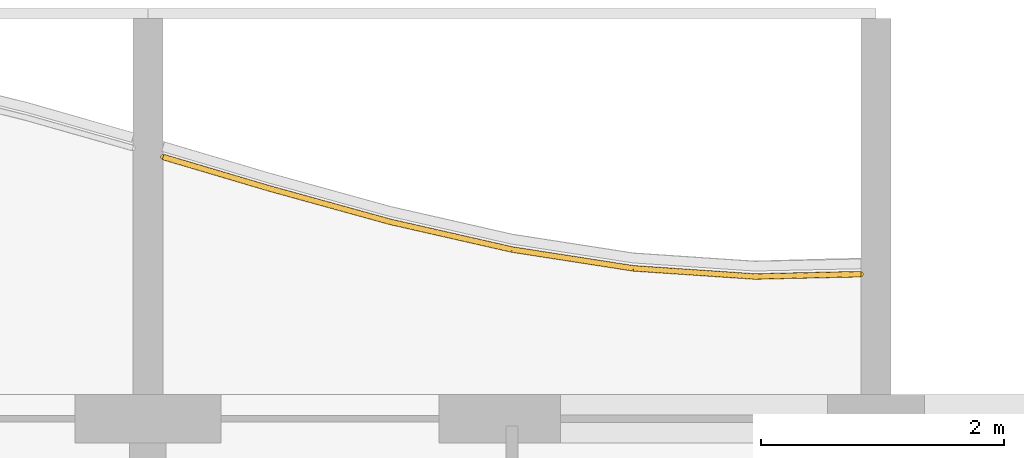
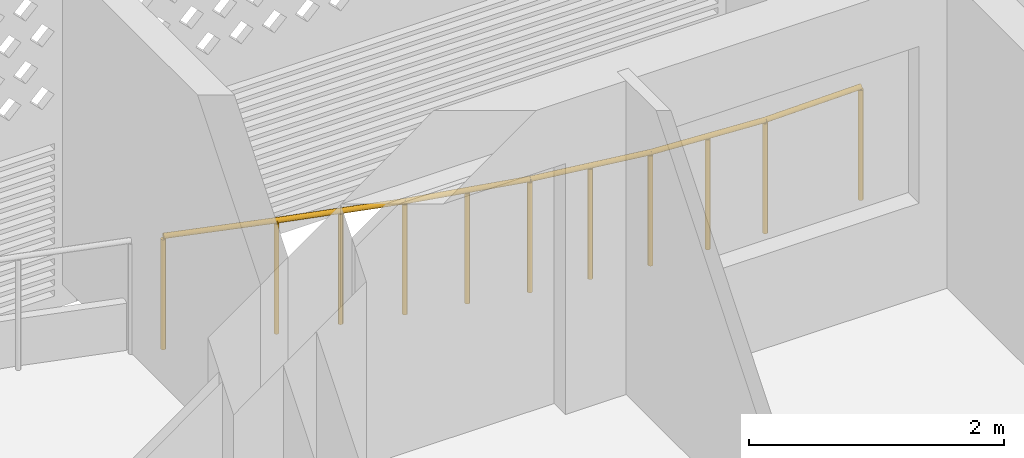
# One storey, part 21 of 32: 1 railing.
"""IFC4 building model written with IfcOpenShell, lengths in metres."""

from ifc_helpers import new_model, si_unit, direction, frame, origin, origin_2d, place, context, subcontext, project, spatial, circle, extrude, material, type_object, element, save


model = new_model("IFC4")

# Units and contexts
model_context = context("Model", 3, precision=1e-05, world=origin(), true_north=direction((0.0, 1.0)))
body_context = subcontext(model_context, "Body", "Model", "MODEL_VIEW")
ifc_project = project(units=[si_unit("LENGTHUNIT", "METRE"), si_unit("AREAUNIT", "SQUARE_METRE"), si_unit("VOLUMEUNIT", "CUBIC_METRE"), si_unit("PLANEANGLEUNIT", "RADIAN"), si_unit("MASSUNIT", "GRAM", prefix="KILO")], contexts=[model_context])

# Site, building, storey
site_placement = place(None, origin())
site = spatial("IfcSite", under=ifc_project, at=site_placement, CompositionType="ELEMENT")
building_placement = place(site_placement, origin())
building = spatial("IfcBuilding", under=site, at=building_placement, Name="Poui Terraces", CompositionType="ELEMENT")
storey_placement = place(building_placement, frame((0.0, 0.0, 155.39990234375)))
storey = spatial("IfcBuildingStorey", under=building, at=storey_placement, Name="L43", CompositionType="ELEMENT", Elevation=155.39990234375)

# Railing
ifc_material = material(Name="Painted steel fretwork", Category="steel")
railing_type = type_object("IfcRailingType", Name="BALCONY GUARD 1100", PredefinedType="GUARDRAIL", material=ifc_material)
railing_placement = place(storey_placement, frame((30.125, 44.556884765625, 0.0)))
element("IfcRailing", 1, at=railing_placement, inside=storey, type_object=railing_type, Name="BALCONY GUARD", PredefinedType="GUARDRAIL", context=body_context, shape_type="SweptSolid", body=[
    extrude(circle(Radius=0.02392578125, at=origin_2d()), frame((0.0, 0.0, 1.076171875), z_axis=(0.958865561228, -0.283860591647, 0.0), x_axis=(0.283860591647, 0.958865561228, 0.0)), (0.0, 0.0, 1.0), 0.91259765625),
    extrude(circle(Radius=0.02392578125, at=origin_2d()), frame((0.875, -0.259033203125, 1.076171875), z_axis=(0.963928100541, -0.26616276409, 0.0), x_axis=(0.26616276409, 0.963928100541, 0.0)), (0.0, 0.0, 1.0), 1.037353515625),
    extrude(circle(Radius=0.02392578125, at=origin_2d()), frame((1.875, -0.53515625, 1.076171875), z_axis=(0.975128178395, -0.221641683127, 0.0), x_axis=(0.221641683127, 0.975128178395, 0.0)), (0.0, 0.0, 1.0), 1.025390625),
    extrude(circle(Radius=0.02392578125, at=origin_2d()), frame((2.875, -0.762451171875, 1.076171875), z_axis=(0.9881587723, -0.153434809371, 0.0), x_axis=(0.153434809371, 0.9881587723, 0.0)), (0.0, 0.0, 1.0), 1.011962890625),
    extrude(circle(Radius=0.02392578125, at=origin_2d()), frame((3.875, -0.917724609375, 1.076171875), z_axis=(0.997753790287, -0.066987864338, 0.0), x_axis=(0.066987864338, 0.997753790287, 0.0)), (0.0, 0.0, 1.0), 1.002197265625),
    extrude(circle(Radius=0.02392578125, at=origin_2d()), frame((4.875, -0.98486328125, 1.076171875), z_axis=(0.999757154554, 0.022037057815, 0.0), x_axis=(-0.022037057815, 0.999757154554, 0.0)), (0.0, 0.0, 1.0), 0.875244140625),
    extrude(circle(Radius=0.02099609375, at=origin_2d()), origin(), (0.0, 0.0, 1.0), 1.052001953125),
    extrude(circle(Radius=0.02099609375, at=origin_2d()), frame((0.875, -0.259033203125, 0.0)), (0.0, 0.0, 1.0), 1.052001953125),
    extrude(circle(Radius=0.02099609375, at=origin_2d()), frame((1.375, -0.39697265625, 0.0)), (0.0, 0.0, 1.0), 1.052001953125),
    extrude(circle(Radius=0.02099609375, at=origin_2d()), frame((1.875, -0.53515625, 0.0)), (0.0, 0.0, 1.0), 1.052001953125),
    extrude(circle(Radius=0.02099609375, at=origin_2d()), frame((2.375, -0.64892578125, 0.0)), (0.0, 0.0, 1.0), 1.052001953125),
    extrude(circle(Radius=0.02099609375, at=origin_2d()), frame((2.875, -0.762451171875, 0.0)), (0.0, 0.0, 1.0), 1.052001953125),
    extrude(circle(Radius=0.02099609375, at=origin_2d()), frame((3.375, -0.840087890625, 0.0)), (0.0, 0.0, 1.0), 1.052001953125),
    extrude(circle(Radius=0.02099609375, at=origin_2d()), frame((3.875, -0.917724609375, 0.0)), (0.0, 0.0, 1.0), 1.052001953125),
    extrude(circle(Radius=0.02099609375, at=origin_2d()), frame((4.375, -0.951171875, 0.0)), (0.0, 0.0, 1.0), 1.052001953125),
    extrude(circle(Radius=0.02099609375, at=origin_2d()), frame((4.875, -0.98486328125, 0.0)), (0.0, 0.0, 1.0), 1.052001953125),
    extrude(circle(Radius=0.02099609375, at=origin_2d()), frame((5.75, -0.965576171875, 0.0)), (0.0, 0.0, 1.0), 1.052001953125),
])

save(model, "model.ifc")
